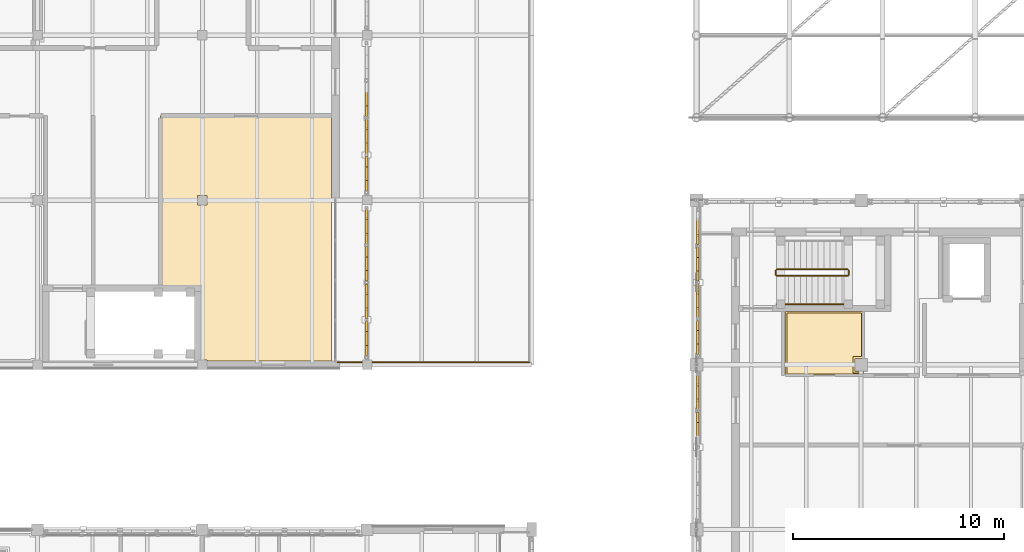
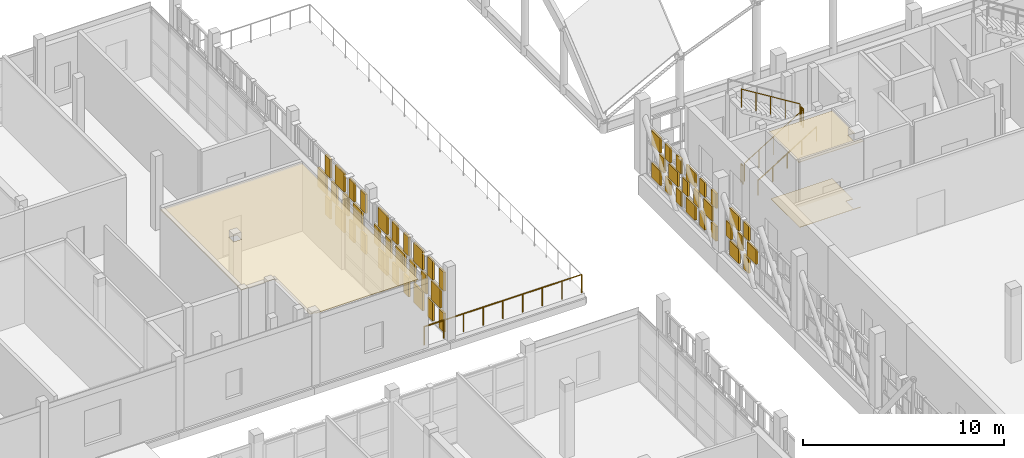
# One storey, part 107 of 119: 57 coverings, 6 railings.
"""IFC4 building model written with IfcOpenShell, lengths in metres."""

import ifcopenshell
import ifcopenshell.guid

model = None  # the IFC model being written
_history = None  # IfcOwnerHistory: only IFC2X3 demands one
_inside = {}  # id of a spatial element -> (the spatial element, [elements in it])
_under = {}  # id of a project, library or spatial element -> (it, [spatial elements below it])
_declared = {}  # id of a project -> (the project, [libraries it declares])
_typed = {}  # id of a type object -> (the type object, [elements of that type])
_made_of = {}  # id of a material, layer set ... -> (it, [elements and type objects made of it])


def new_model(schema):
    """Start an empty IFC model of exactly this schema.

    Asked for "IFC4X3", IfcOpenShell would pick the latest addendum, in which some entities
    have other attributes; the version numbers below select the first issue.
    IFC2X3 requires an IfcOwnerHistory on every rooted entity: one is made here for all.
    """
    global model, _history
    if schema == "IFC4X3":
        model = ifcopenshell.file(schema_version=(4, 3, 0, 0))
    else:
        model = ifcopenshell.file(schema=schema)
    _inside.clear()
    _under.clear()
    _declared.clear()
    _typed.clear()
    _made_of.clear()
    _history = None
    if model.schema == "IFC2X3":
        org = make("IfcOrganization", Name="unknown")
        user = make(
            "IfcPersonAndOrganization",
            ThePerson=make("IfcPerson", FamilyName="unknown"),
            TheOrganization=org,
        )
        app = make(
            "IfcApplication",
            ApplicationDeveloper=org,
            Version="unknown",
            ApplicationFullName="unknown",
            ApplicationIdentifier="unknown",
        )
        _history = make(
            "IfcOwnerHistory",
            OwningUser=user,
            OwningApplication=app,
            ChangeAction="ADDED",
            CreationDate=0,
        )
    return model


def make(cls, **values):
    """One entity of the class cls with the attributes given. An attribute that is None is left unset."""
    return model.create_entity(
        cls, **{name: value for name, value in values.items() if value is not None}
    )


def rooted(cls, **values):
    """An entity with a GlobalId (a new one), such as an element, a storey or a relation."""
    return make(cls, GlobalId=ifcopenshell.guid.new(), OwnerHistory=_history, **values)


def si_unit(unit_type, name, prefix=None):
    """IfcSIUnit, for example si_unit("LENGTHUNIT", "METRE", prefix="MILLI")."""
    return make("IfcSIUnit", UnitType=unit_type, Prefix=prefix, Name=name)


def assignment(units):
    """IfcUnitAssignment: the units of a project."""
    return None if units is None else make("IfcUnitAssignment", Units=units)


def point(xyz):
    """IfcCartesianPoint."""
    return None if xyz is None else make("IfcCartesianPoint", Coordinates=xyz)


def direction(xyz):
    """IfcDirection."""
    return None if xyz is None else make("IfcDirection", DirectionRatios=xyz)


def frame(location, z_axis=None, x_axis=None):
    """IfcAxis2Placement3D, a coordinate frame: its origin and axes. An axis left out is left unset."""
    return make(
        "IfcAxis2Placement3D",
        Location=point(location),
        Axis=direction(z_axis),
        RefDirection=direction(x_axis),
    )


def frame_2d(location, x_axis=None):
    """IfcAxis2Placement2D, a coordinate frame in the plane: its origin and x axis."""
    return make(
        "IfcAxis2Placement2D", Location=point(location), RefDirection=direction(x_axis)
    )


def origin():
    """The frame at (0, 0, 0) with its axes left unset."""
    return frame((0.0, 0.0, 0.0))


def origin_2d():
    """The frame at (0, 0) in the plane with its x axis left unset."""
    return frame_2d((0.0, 0.0))


def place(relative_to, where):
    """IfcLocalPlacement: puts the frame where relative to a parent placement (None: the world)."""
    return make(
        "IfcLocalPlacement", PlacementRelTo=relative_to, RelativePlacement=where
    )


def context(
    kind, dimensions, precision=None, world=None, true_north=None, identifier=None
):
    """IfcGeometricRepresentationContext, for example the 3D "Model" context."""
    return make(
        "IfcGeometricRepresentationContext",
        ContextIdentifier=identifier,
        ContextType=kind,
        CoordinateSpaceDimension=dimensions,
        Precision=precision,
        WorldCoordinateSystem=world,
        TrueNorth=true_north,
    )


def subcontext(parent, identifier, kind, view, scale=None):
    """IfcGeometricRepresentationSubContext, for example "Body" below "Model"."""
    return make(
        "IfcGeometricRepresentationSubContext",
        ContextIdentifier=identifier,
        ContextType=kind,
        ParentContext=parent,
        TargetScale=scale,
        TargetView=view,
    )


def project(units=None, contexts=None):
    """IfcProject with its units and contexts."""
    return rooted(
        "IfcProject",
        Name="project",
        RepresentationContexts=contexts,
        UnitsInContext=assignment(units),
    )


def spatial(cls, under=None, at=None, **own):
    """A site, building, storey or space (cls), placed at a placement, below another one or the project."""
    s = rooted(cls, ObjectPlacement=at, **own)
    if under is not None:
        _under.setdefault(under.id(), (under, []))[1].append(s)
    return s


def polyline(points):
    """IfcPolyline through the points."""
    return make("IfcPolyline", Points=[point(p) for p in points])


def profile(cls, at=None, kind="AREA", **sizes):
    """A parametric profile (cls). Its sizes go by their IFC names, for example OverallWidth=200.0."""
    return make(cls, ProfileType=kind, Position=at, **sizes)


def rectangle(**sizes):
    """IfcRectangleProfileDef."""
    return profile("IfcRectangleProfileDef", **sizes)


def circle(**sizes):
    """IfcCircleProfileDef."""
    return profile("IfcCircleProfileDef", **sizes)


def outline(outer, holes=None, kind="AREA"):
    """IfcArbitraryClosedProfileDef: a profile drawn as a closed curve; with holes, ...WithVoids."""
    if holes is None:
        return make("IfcArbitraryClosedProfileDef", ProfileType=kind, OuterCurve=outer)
    return make(
        "IfcArbitraryProfileDefWithVoids",
        ProfileType=kind,
        OuterCurve=outer,
        InnerCurves=holes,
    )


def extrude(swept, where, along, depth):
    """IfcExtrudedAreaSolid: the profile swept, set in the frame where, extruded along a direction by depth."""
    return make(
        "IfcExtrudedAreaSolid",
        SweptArea=swept,
        Position=where,
        ExtrudedDirection=direction(along),
        Depth=depth,
    )


def shape(context_of_items, identifier, shape_type, items):
    """IfcShapeRepresentation: the items that make up one representation, for example the "Body"."""
    return make(
        "IfcShapeRepresentation",
        ContextOfItems=context_of_items,
        RepresentationIdentifier=identifier,
        RepresentationType=shape_type,
        Items=items,
    )


def material(Name=None, Category=None):
    """IfcMaterial."""
    return make("IfcMaterial", Name=Name, Category=Category)


def layer(
    of_material, thickness, ventilated=None, Name=None, Category=None, Priority=None
):
    """IfcMaterialLayer: one layer of a wall or slab, of a material (None: an air gap)."""
    return make(
        "IfcMaterialLayer",
        Material=of_material,
        LayerThickness=thickness,
        IsVentilated=ventilated,
        Name=Name,
        Category=Category,
        Priority=Priority,
    )


def layer_set(layers, Name=None):
    """IfcMaterialLayerSet."""
    return make("IfcMaterialLayerSet", MaterialLayers=layers, LayerSetName=Name)


def made_of(thing, what):
    """Note that an element or type object is made of a material, layer set ...; save() writes the relation."""
    if what is not None:
        _made_of.setdefault(what.id(), (what, []))[1].append(thing)
    return thing


def type_object(cls, material=None, **own):
    """A type object (cls), such as IfcWallType, which elements share."""
    return made_of(rooted(cls, **own), material)


def element(
    cls,
    number,
    at=None,
    inside=None,
    cuts=None,
    type_object=None,
    material=None,
    context=None,
    identifier="Body",
    shape_type=None,
    held_by="IfcProductDefinitionShape",
    body=None,
    shapes=None,
    **own,
):
    """One element of the class cls, such as IfcWall. Its Tag is "e" and its number.

    at: its placement. inside: the storey or other place that contains it. cuts: it is an
    opening in that element (IfcRelVoidsElement). A single representation is given by context,
    identifier, shape_type and body (its items); several are given by shapes. held_by: the class
    of the entity that holds the representations. save() writes the other relations.
    """
    e = rooted(cls, Tag="e%d" % number, ObjectPlacement=at, **own)
    if body is not None:
        shapes = [shape(context, identifier, shape_type, body)]
    if shapes is not None:
        e.Representation = make(held_by, Representations=shapes)
    if inside is not None:
        _inside.setdefault(inside.id(), (inside, []))[1].append(e)
    if cuts is not None:
        rooted(
            "IfcRelVoidsElement", RelatingBuildingElement=cuts, RelatedOpeningElement=e
        )
    if type_object is not None:
        _typed.setdefault(type_object.id(), (type_object, []))[1].append(e)
    return made_of(e, material)


def aggregate(whole, parts):
    """IfcRelAggregates: a whole, such as a stair, and the parts it consists of."""
    return rooted("IfcRelAggregates", RelatingObject=whole, RelatedObjects=parts)


def save(model, path):
    """Write the relations noted so far, then the file.

    IfcRelAggregates (storeys below a building ...), IfcRelContainedInSpatialStructure (elements
    in a storey), IfcRelDefinesByType, IfcRelAssociatesMaterial and IfcRelDeclares: one each for
    every whole, place, type object, material and project.
    """
    for whole, parts in _under.values():
        aggregate(whole, parts)
    for where, things in _inside.values():
        rooted(
            "IfcRelContainedInSpatialStructure",
            RelatedElements=things,
            RelatingStructure=where,
        )
    for kind, things in _typed.values():
        rooted("IfcRelDefinesByType", RelatedObjects=things, RelatingType=kind)
    for what, things in _made_of.values():
        rooted("IfcRelAssociatesMaterial", RelatedObjects=things, RelatingMaterial=what)
    for by, libraries in _declared.values():
        rooted("IfcRelDeclares", RelatingContext=by, RelatedDefinitions=libraries)
    model.write(path)


model = new_model("IFC4")

# Units and contexts
model_context = context("Model", 3, precision=1e-05, world=origin(), true_north=direction((0.0, 1.0)))
body_context = subcontext(model_context, "Body", "Model", "MODEL_VIEW")
ifc_project = project(units=[si_unit("LENGTHUNIT", "METRE"), si_unit("AREAUNIT", "SQUARE_METRE"), si_unit("VOLUMEUNIT", "CUBIC_METRE"), si_unit("PLANEANGLEUNIT", "RADIAN"), si_unit("MASSUNIT", "GRAM", prefix="KILO")], contexts=[model_context])

# Site, building, storey
site_placement = place(None, origin())
site = spatial("IfcSite", under=ifc_project, at=site_placement, CompositionType="ELEMENT")
building_placement = place(site_placement, origin())
building = spatial("IfcBuilding", under=site, at=building_placement, Name="Celorna Specialist Clinic", CompositionType="ELEMENT")
storey_placement = place(building_placement, frame((0.0, 0.0, 9.60009765625)))
storey = spatial("IfcBuildingStorey", under=building, at=storey_placement, Name="L02", CompositionType="ELEMENT", Elevation=9.60009765625)

# Railing
ifc_material_1 = material(Name="Stainless steel and laminated glass balustrade", Category="steel")
railing_type_1 = type_object("IfcRailingType", Name="BL-01", PredefinedType="BALUSTRADE", material=ifc_material_1)
railing_1_placement = place(storey_placement, frame((46.679931640625, 35.219970703125, 0.0)))
element("IfcRailing", 1, at=railing_1_placement, inside=storey, type_object=railing_type_1, Name="Nuclear Medicine Cloister Terrace perimeter balustrade 4", PredefinedType="BALUSTRADE", context=body_context, shape_type="SweptSolid", body=[
    extrude(circle(Radius=0.02392578125, at=origin_2d()), frame((0.0, 0.0, 1.09619140625), z_axis=(-1.0, 0.0, 0.0), x_axis=(0.0, -1.0, 0.0)), (0.0, 0.0, 1.0), 9.059814453125),
    extrude(circle(Radius=0.02099609375, at=origin_2d()), origin(), (0.0, 0.0, 1.0), 1.072021484375),
    extrude(circle(Radius=0.02099609375, at=origin_2d()), frame((-1.132568359375, 0.0, 0.0)), (0.0, 0.0, 1.0), 1.072021484375),
    extrude(circle(Radius=0.02099609375, at=origin_2d()), frame((-2.264892578125, 0.0, 0.0)), (0.0, 0.0, 1.0), 1.072021484375),
    extrude(circle(Radius=0.02099609375, at=origin_2d()), frame((-3.3974609375, 0.0, 0.0)), (0.0, 0.0, 1.0), 1.072021484375),
    extrude(circle(Radius=0.02099609375, at=origin_2d()), frame((-4.52978515625, 0.0, 0.0)), (0.0, 0.0, 1.0), 1.072021484375),
    extrude(circle(Radius=0.02099609375, at=origin_2d()), frame((-5.662353515625, 0.0, 0.0)), (0.0, 0.0, 1.0), 1.072021484375),
    extrude(circle(Radius=0.02099609375, at=origin_2d()), frame((-6.794921875, 0.0, 0.0)), (0.0, 0.0, 1.0), 1.072021484375),
    extrude(circle(Radius=0.02099609375, at=origin_2d()), frame((-7.92724609375, 0.0, 0.0)), (0.0, 0.0, 1.0), 1.072021484375),
    extrude(circle(Radius=0.02099609375, at=origin_2d()), frame((-9.059814453125, 0.0, 0.0)), (0.0, 0.0, 1.0), 1.072021484375),
])

# Coverings
ifc_material_2 = material(Name="Hygienic acoustic mineral-fibre ceiling")
ifc_layer_1 = layer(ifc_material_2, 0.030029296875, Name="Hygienic acoustic mineral-fibre ceiling")
ifc_layer_set_1 = layer_set([ifc_layer_1], Name="Hygienic acoustic mineral-fibre ceiling")
covering_type_1 = type_object("IfcCoveringType", Name="CE-01", PredefinedType="CEILING", material=ifc_layer_set_1)
covering_1_placement = place(storey_placement, frame((0.0, 0.0, 4.02978515625)))
element("IfcCovering", 2, at=covering_1_placement, inside=storey, type_object=covering_type_1, Name="Acoustic ceiling L02-015", PredefinedType="CEILING", context=body_context, shape_type="SweptSolid", body=[
    extrude(outline(polyline([(31.125, 38.864990234375), (29.22509765625, 38.864990234375), (29.22509765625, 46.9150390625), (37.324951171875, 46.9150390625), (37.324951171875, 35.27490234375), (31.429931640625, 35.27490234375), (31.429931640625, 35.330078125), (31.125, 35.330078125), (31.125, 38.864990234375)]), holes=[polyline([(31.429931640625, 43.1298828125), (30.969970703125, 43.1298828125), (30.969970703125, 42.669921875), (31.429931640625, 42.669921875), (31.429931640625, 43.1298828125)])]), origin(), (0.0, 0.0, 1.0), 0.030029296875),
])
covering_2_placement = place(storey_placement, frame((0.0, 0.0, 4.02978515625)))
element("IfcCovering", 3, at=covering_2_placement, inside=storey, type_object=covering_type_1, Name="Acoustic ceiling L02-068", PredefinedType="CEILING", context=body_context, shape_type="SweptSolid", body=[
    extrude(outline(polyline([(58.804931640625, 37.635009765625), (62.5048828125, 37.635009765625), (62.5048828125, 35.405029296875), (62.094970703125, 35.405029296875), (62.094970703125, 34.794921875), (62.5048828125, 34.794921875), (62.5048828125, 34.5849609375), (58.804931640625, 34.5849609375), (58.804931640625, 37.635009765625)])), origin(), (0.0, 0.0, 1.0), 0.030029296875),
])
ifc_material_3 = material(Name="Perforated terracotta brick weave cladding", Category="masonry")
ifc_layer_2 = layer(ifc_material_3, 0.114990234375, Name="Perforated terracotta brick weave cladding")
ifc_layer_set_2 = layer_set([ifc_layer_2], Name="Perforated terracotta brick weave cladding")
covering_type_2 = type_object("IfcCoveringType", Name="CL-02", PredefinedType="CLADDING", material=ifc_layer_set_2)
covering_3_placement = place(storey_placement, frame((54.669921875, 32.62451171875, 0.099609375), z_axis=(0.0, 0.0, 1.0), x_axis=(0.0, 1.0, 0.0)))
element("IfcCovering", 4, at=covering_3_placement, inside=storey, type_object=covering_type_2, Name="Woven perforated terracotta brick course #201", PredefinedType="CLADDING", context=body_context, shape_type="SweptSolid", body=[
    extrude(rectangle(XDim=0.4912109375, YDim=0.114990234375, at=origin_2d()), origin(), (0.0, 0.0, 1.0), 0.893310546875),
])
covering_4_placement = place(storey_placement, frame((54.669921875, 32.06494140625, 1.09326171875), z_axis=(0.0, 0.0, 1.0), x_axis=(0.0, 1.0, 0.0)))
element("IfcCovering", 5, at=covering_4_placement, inside=storey, type_object=covering_type_2, Name="Woven perforated terracotta brick course #202", PredefinedType="CLADDING", context=body_context, shape_type="SweptSolid", body=[
    extrude(rectangle(XDim=0.869384765625, YDim=0.114990234375, at=origin_2d()), origin(), (0.0, 0.0, 1.0), 0.893310546875),
])
covering_5_placement = place(storey_placement, frame((54.669921875, 32.62451171875, 2.08642578125), z_axis=(0.0, 0.0, 1.0), x_axis=(0.0, 1.0, 0.0)))
element("IfcCovering", 6, at=covering_5_placement, inside=storey, type_object=covering_type_2, Name="Woven perforated terracotta brick course #204", PredefinedType="CLADDING", context=body_context, shape_type="SweptSolid", body=[
    extrude(rectangle(XDim=0.4912109375, YDim=0.114990234375, at=origin_2d()), origin(), (0.0, 0.0, 1.0), 0.893310546875),
])
covering_6_placement = place(storey_placement, frame((54.669921875, 33.794921875, 0.099609375), z_axis=(0.0, 0.0, 1.0), x_axis=(0.0, 1.0, 0.0)))
element("IfcCovering", 7, at=covering_6_placement, inside=storey, type_object=covering_type_2, Name="Woven perforated terracotta brick course #205", PredefinedType="CLADDING", context=body_context, shape_type="SweptSolid", body=[
    extrude(rectangle(XDim=0.869384765625, YDim=0.114990234375, at=origin_2d()), origin(), (0.0, 0.0, 1.0), 0.893310546875),
])
for number, where, z_axis, x_axis, name in (
    (8, (54.669921875, 33.235595703125, 1.09326171875), (0.0, 0.0, 1.0), (0.0, 1.0, 0.0), "Woven perforated terracotta brick course #206"),
    (9, (54.669921875, 34.3544921875, 1.09326171875), (0.0, 0.0, 1.0), (0.0, 1.0, 0.0), "Woven perforated terracotta brick course #207"),
):
    element("IfcCovering", number, at=place(storey_placement, frame(where, z_axis=z_axis, x_axis=x_axis)), inside=storey, type_object=covering_type_2, Name=name, PredefinedType="CLADDING", context=body_context, shape_type="SweptSolid", body=[
        extrude(rectangle(XDim=0.4912109375, YDim=0.114990234375, at=origin_2d()), origin(), (0.0, 0.0, 1.0), 0.893310546875),
    ])
covering_7_placement = place(storey_placement, frame((54.669921875, 33.794921875, 2.08642578125), z_axis=(0.0, 0.0, 1.0), x_axis=(0.0, 1.0, 0.0)))
element("IfcCovering", 10, at=covering_7_placement, inside=storey, type_object=covering_type_2, Name="Woven perforated terracotta brick course #208", PredefinedType="CLADDING", context=body_context, shape_type="SweptSolid", body=[
    extrude(rectangle(XDim=0.869384765625, YDim=0.114990234375, at=origin_2d()), origin(), (0.0, 0.0, 1.0), 0.893310546875),
])
for number, where, z_axis, x_axis, name in (
    (11, (54.669921875, 35.845458984375, 0.099609375), (0.0, 0.0, 1.0), (0.0, 1.0, 0.0), "Woven perforated terracotta brick course #209"),
    (12, (54.669921875, 36.96435546875, 0.099609375), (0.0, 0.0, 1.0), (0.0, 1.0, 0.0), "Woven perforated terracotta brick course #210"),
):
    element("IfcCovering", number, at=place(storey_placement, frame(where, z_axis=z_axis, x_axis=x_axis)), inside=storey, type_object=covering_type_2, Name=name, PredefinedType="CLADDING", context=body_context, shape_type="SweptSolid", body=[
        extrude(rectangle(XDim=0.4912109375, YDim=0.114990234375, at=origin_2d()), origin(), (0.0, 0.0, 1.0), 0.893310546875),
    ])
covering_8_placement = place(storey_placement, frame((54.669921875, 36.405029296875, 1.09326171875), z_axis=(0.0, 0.0, 1.0), x_axis=(0.0, 1.0, 0.0)))
element("IfcCovering", 13, at=covering_8_placement, inside=storey, type_object=covering_type_2, Name="Woven perforated terracotta brick course #211", PredefinedType="CLADDING", context=body_context, shape_type="SweptSolid", body=[
    extrude(rectangle(XDim=0.869384765625, YDim=0.114990234375, at=origin_2d()), origin(), (0.0, 0.0, 1.0), 0.893310546875),
])
for number, where, z_axis, x_axis, name in (
    (14, (54.669921875, 35.845458984375, 2.08642578125), (0.0, 0.0, 1.0), (0.0, 1.0, 0.0), "Woven perforated terracotta brick course #212"),
    (15, (54.669921875, 36.96435546875, 2.08642578125), (0.0, 0.0, 1.0), (0.0, 1.0, 0.0), "Woven perforated terracotta brick course #213"),
):
    element("IfcCovering", number, at=place(storey_placement, frame(where, z_axis=z_axis, x_axis=x_axis)), inside=storey, type_object=covering_type_2, Name=name, PredefinedType="CLADDING", context=body_context, shape_type="SweptSolid", body=[
        extrude(rectangle(XDim=0.4912109375, YDim=0.114990234375, at=origin_2d()), origin(), (0.0, 0.0, 1.0), 0.893310546875),
    ])
covering_9_placement = place(storey_placement, frame((54.669921875, 38.135009765625, 0.099609375), z_axis=(0.0, 0.0, 1.0), x_axis=(0.0, 1.0, 0.0)))
element("IfcCovering", 16, at=covering_9_placement, inside=storey, type_object=covering_type_2, Name="Woven perforated terracotta brick course #214", PredefinedType="CLADDING", context=body_context, shape_type="SweptSolid", body=[
    extrude(rectangle(XDim=0.869384765625, YDim=0.114990234375, at=origin_2d()), origin(), (0.0, 0.0, 1.0), 0.893310546875),
])
for number, where, z_axis, x_axis, name in (
    (17, (54.669921875, 37.575439453125, 1.09326171875), (0.0, 0.0, 1.0), (0.0, 1.0, 0.0), "Woven perforated terracotta brick course #215"),
    (18, (54.669921875, 38.694580078125, 1.09326171875), (0.0, 0.0, 1.0), (0.0, 1.0, 0.0), "Woven perforated terracotta brick course #216"),
):
    element("IfcCovering", number, at=place(storey_placement, frame(where, z_axis=z_axis, x_axis=x_axis)), inside=storey, type_object=covering_type_2, Name=name, PredefinedType="CLADDING", context=body_context, shape_type="SweptSolid", body=[
        extrude(rectangle(XDim=0.4912109375, YDim=0.114990234375, at=origin_2d()), origin(), (0.0, 0.0, 1.0), 0.893310546875),
    ])
covering_10_placement = place(storey_placement, frame((54.669921875, 38.135009765625, 2.08642578125), z_axis=(0.0, 0.0, 1.0), x_axis=(0.0, 1.0, 0.0)))
element("IfcCovering", 19, at=covering_10_placement, inside=storey, type_object=covering_type_2, Name="Woven perforated terracotta brick course #217", PredefinedType="CLADDING", context=body_context, shape_type="SweptSolid", body=[
    extrude(rectangle(XDim=0.869384765625, YDim=0.114990234375, at=origin_2d()), origin(), (0.0, 0.0, 1.0), 0.893310546875),
])
for number, where, z_axis, x_axis, name in (
    (20, (54.669921875, 39.305419921875, 0.099609375), (0.0, 0.0, 1.0), (0.0, 1.0, 0.0), "Woven perforated terracotta brick course #218"),
    (21, (54.669921875, 40.424560546875, 0.099609375), (0.0, 0.0, 1.0), (0.0, 1.0, 0.0), "Woven perforated terracotta brick course #219"),
):
    element("IfcCovering", number, at=place(storey_placement, frame(where, z_axis=z_axis, x_axis=x_axis)), inside=storey, type_object=covering_type_2, Name=name, PredefinedType="CLADDING", context=body_context, shape_type="SweptSolid", body=[
        extrude(rectangle(XDim=0.4912109375, YDim=0.114990234375, at=origin_2d()), origin(), (0.0, 0.0, 1.0), 0.893310546875),
    ])
covering_11_placement = place(storey_placement, frame((54.669921875, 39.864990234375, 1.09326171875), z_axis=(0.0, 0.0, 1.0), x_axis=(0.0, 1.0, 0.0)))
element("IfcCovering", 22, at=covering_11_placement, inside=storey, type_object=covering_type_2, Name="Woven perforated terracotta brick course #220", PredefinedType="CLADDING", context=body_context, shape_type="SweptSolid", body=[
    extrude(rectangle(XDim=0.869384765625, YDim=0.114990234375, at=origin_2d()), origin(), (0.0, 0.0, 1.0), 0.893310546875),
])
for number, where, z_axis, x_axis, name in (
    (23, (54.669921875, 39.305419921875, 2.08642578125), (0.0, 0.0, 1.0), (0.0, 1.0, 0.0), "Woven perforated terracotta brick course #221"),
    (24, (54.669921875, 40.424560546875, 2.08642578125), (0.0, 0.0, 1.0), (0.0, 1.0, 0.0), "Woven perforated terracotta brick course #222"),
):
    element("IfcCovering", number, at=place(storey_placement, frame(where, z_axis=z_axis, x_axis=x_axis)), inside=storey, type_object=covering_type_2, Name=name, PredefinedType="CLADDING", context=body_context, shape_type="SweptSolid", body=[
        extrude(rectangle(XDim=0.4912109375, YDim=0.114990234375, at=origin_2d()), origin(), (0.0, 0.0, 1.0), 0.893310546875),
    ])
covering_12_placement = place(storey_placement, frame((54.669921875, 41.594970703125, 0.099609375), z_axis=(0.0, 0.0, 1.0), x_axis=(0.0, 1.0, 0.0)))
element("IfcCovering", 25, at=covering_12_placement, inside=storey, type_object=covering_type_2, Name="Woven perforated terracotta brick course #223", PredefinedType="CLADDING", context=body_context, shape_type="SweptSolid", body=[
    extrude(rectangle(XDim=0.869384765625, YDim=0.114990234375, at=origin_2d()), origin(), (0.0, 0.0, 1.0), 0.893310546875),
])
covering_13_placement = place(storey_placement, frame((54.669921875, 41.03564453125, 1.09326171875), z_axis=(0.0, 0.0, 1.0), x_axis=(0.0, 1.0, 0.0)))
element("IfcCovering", 26, at=covering_13_placement, inside=storey, type_object=covering_type_2, Name="Woven perforated terracotta brick course #224", PredefinedType="CLADDING", context=body_context, shape_type="SweptSolid", body=[
    extrude(rectangle(XDim=0.4912109375, YDim=0.114990234375, at=origin_2d()), origin(), (0.0, 0.0, 1.0), 0.893310546875),
])
covering_14_placement = place(storey_placement, frame((54.669921875, 41.594970703125, 2.08642578125), z_axis=(0.0, 0.0, 1.0), x_axis=(0.0, 1.0, 0.0)))
element("IfcCovering", 27, at=covering_14_placement, inside=storey, type_object=covering_type_2, Name="Woven perforated terracotta brick course #226", PredefinedType="CLADDING", context=body_context, shape_type="SweptSolid", body=[
    extrude(rectangle(XDim=0.869384765625, YDim=0.114990234375, at=origin_2d()), origin(), (0.0, 0.0, 1.0), 0.893310546875),
])
for number, where, z_axis, x_axis, name in (
    (28, (38.989990234375, 35.7763671875, 0.10009765625), (0.0, 0.0, 1.0), (0.0, 1.0, 0.0), "Woven perforated terracotta brick course #1319"),
    (29, (38.989990234375, 36.92138671875, 0.10009765625), (0.0, 0.0, 1.0), (0.0, 1.0, 0.0), "Woven perforated terracotta brick course #1320"),
):
    element("IfcCovering", number, at=place(storey_placement, frame(where, z_axis=z_axis, x_axis=x_axis)), inside=storey, type_object=covering_type_2, Name=name, PredefinedType="CLADDING", context=body_context, shape_type="SweptSolid", body=[
        extrude(rectangle(XDim=0.50244140625, YDim=0.114990234375, at=origin_2d()), origin(), (0.0, 0.0, 1.0), 1.146728515625),
    ])
covering_15_placement = place(storey_placement, frame((38.989990234375, 36.348876953125, 1.3466796875), z_axis=(0.0, 0.0, 1.0), x_axis=(0.0, 1.0, 0.0)))
element("IfcCovering", 30, at=covering_15_placement, inside=storey, type_object=covering_type_2, Name="Woven perforated terracotta brick course #1321", PredefinedType="CLADDING", context=body_context, shape_type="SweptSolid", body=[
    extrude(rectangle(XDim=0.8896484375, YDim=0.114990234375, at=origin_2d()), origin(), (0.0, 0.0, 1.0), 1.146484375),
])
for number, where, z_axis, x_axis, name in (
    (31, (38.989990234375, 35.7763671875, 2.59326171875), (0.0, 0.0, 1.0), (0.0, 1.0, 0.0), "Woven perforated terracotta brick course #1322"),
    (32, (38.989990234375, 36.92138671875, 2.59326171875), (0.0, 0.0, 1.0), (0.0, 1.0, 0.0), "Woven perforated terracotta brick course #1323"),
):
    element("IfcCovering", number, at=place(storey_placement, frame(where, z_axis=z_axis, x_axis=x_axis)), inside=storey, type_object=covering_type_2, Name=name, PredefinedType="CLADDING", context=body_context, shape_type="SweptSolid", body=[
        extrude(rectangle(XDim=0.50244140625, YDim=0.114990234375, at=origin_2d()), origin(), (0.0, 0.0, 1.0), 1.146728515625),
    ])
covering_16_placement = place(storey_placement, frame((38.989990234375, 38.1162109375, 0.10009765625), z_axis=(0.0, 0.0, 1.0), x_axis=(0.0, 1.0, 0.0)))
element("IfcCovering", 33, at=covering_16_placement, inside=storey, type_object=covering_type_2, Name="Woven perforated terracotta brick course #1324", PredefinedType="CLADDING", context=body_context, shape_type="SweptSolid", body=[
    extrude(rectangle(XDim=0.8896484375, YDim=0.114990234375, at=origin_2d()), origin(), (0.0, 0.0, 1.0), 1.146728515625),
])
for number, where, z_axis, x_axis, name in (
    (34, (38.989990234375, 37.543701171875, 1.3466796875), (0.0, 0.0, 1.0), (0.0, 1.0, 0.0), "Woven perforated terracotta brick course #1325"),
    (35, (38.989990234375, 38.688720703125, 1.3466796875), (0.0, 0.0, 1.0), (0.0, 1.0, 0.0), "Woven perforated terracotta brick course #1326"),
):
    element("IfcCovering", number, at=place(storey_placement, frame(where, z_axis=z_axis, x_axis=x_axis)), inside=storey, type_object=covering_type_2, Name=name, PredefinedType="CLADDING", context=body_context, shape_type="SweptSolid", body=[
        extrude(rectangle(XDim=0.50244140625, YDim=0.114990234375, at=origin_2d()), origin(), (0.0, 0.0, 1.0), 1.146484375),
    ])
covering_17_placement = place(storey_placement, frame((38.989990234375, 38.1162109375, 2.59326171875), z_axis=(0.0, 0.0, 1.0), x_axis=(0.0, 1.0, 0.0)))
element("IfcCovering", 36, at=covering_17_placement, inside=storey, type_object=covering_type_2, Name="Woven perforated terracotta brick course #1327", PredefinedType="CLADDING", context=body_context, shape_type="SweptSolid", body=[
    extrude(rectangle(XDim=0.8896484375, YDim=0.114990234375, at=origin_2d()), origin(), (0.0, 0.0, 1.0), 1.146728515625),
])
for number, where, z_axis, x_axis, name in (
    (37, (38.989990234375, 39.311279296875, 0.10009765625), (0.0, 0.0, 1.0), (0.0, 1.0, 0.0), "Woven perforated terracotta brick course #1328"),
    (38, (38.989990234375, 40.456298828125, 0.10009765625), (0.0, 0.0, 1.0), (0.0, 1.0, 0.0), "Woven perforated terracotta brick course #1329"),
):
    element("IfcCovering", number, at=place(storey_placement, frame(where, z_axis=z_axis, x_axis=x_axis)), inside=storey, type_object=covering_type_2, Name=name, PredefinedType="CLADDING", context=body_context, shape_type="SweptSolid", body=[
        extrude(rectangle(XDim=0.50244140625, YDim=0.114990234375, at=origin_2d()), origin(), (0.0, 0.0, 1.0), 1.146728515625),
    ])
covering_18_placement = place(storey_placement, frame((38.989990234375, 39.8837890625, 1.3466796875), z_axis=(0.0, 0.0, 1.0), x_axis=(0.0, 1.0, 0.0)))
element("IfcCovering", 39, at=covering_18_placement, inside=storey, type_object=covering_type_2, Name="Woven perforated terracotta brick course #1330", PredefinedType="CLADDING", context=body_context, shape_type="SweptSolid", body=[
    extrude(rectangle(XDim=0.8896484375, YDim=0.114990234375, at=origin_2d()), origin(), (0.0, 0.0, 1.0), 1.146484375),
])
for number, where, z_axis, x_axis, name in (
    (40, (38.989990234375, 39.311279296875, 2.59326171875), (0.0, 0.0, 1.0), (0.0, 1.0, 0.0), "Woven perforated terracotta brick course #1331"),
    (41, (38.989990234375, 40.456298828125, 2.59326171875), (0.0, 0.0, 1.0), (0.0, 1.0, 0.0), "Woven perforated terracotta brick course #1332"),
):
    element("IfcCovering", number, at=place(storey_placement, frame(where, z_axis=z_axis, x_axis=x_axis)), inside=storey, type_object=covering_type_2, Name=name, PredefinedType="CLADDING", context=body_context, shape_type="SweptSolid", body=[
        extrude(rectangle(XDim=0.50244140625, YDim=0.114990234375, at=origin_2d()), origin(), (0.0, 0.0, 1.0), 1.146728515625),
    ])
covering_19_placement = place(storey_placement, frame((38.989990234375, 41.651123046875, 0.10009765625), z_axis=(0.0, 0.0, 1.0), x_axis=(0.0, 1.0, 0.0)))
element("IfcCovering", 42, at=covering_19_placement, inside=storey, type_object=covering_type_2, Name="Woven perforated terracotta brick course #1333", PredefinedType="CLADDING", context=body_context, shape_type="SweptSolid", body=[
    extrude(rectangle(XDim=0.8896484375, YDim=0.114990234375, at=origin_2d()), origin(), (0.0, 0.0, 1.0), 1.146728515625),
])
for number, where, z_axis, x_axis, name in (
    (43, (38.989990234375, 41.07861328125, 1.3466796875), (0.0, 0.0, 1.0), (0.0, 1.0, 0.0), "Woven perforated terracotta brick course #1334"),
    (44, (38.989990234375, 42.2236328125, 1.3466796875), (0.0, 0.0, 1.0), (0.0, 1.0, 0.0), "Woven perforated terracotta brick course #1335"),
):
    element("IfcCovering", number, at=place(storey_placement, frame(where, z_axis=z_axis, x_axis=x_axis)), inside=storey, type_object=covering_type_2, Name=name, PredefinedType="CLADDING", context=body_context, shape_type="SweptSolid", body=[
        extrude(rectangle(XDim=0.50244140625, YDim=0.114990234375, at=origin_2d()), origin(), (0.0, 0.0, 1.0), 1.146484375),
    ])
covering_20_placement = place(storey_placement, frame((38.989990234375, 41.651123046875, 2.59326171875), z_axis=(0.0, 0.0, 1.0), x_axis=(0.0, 1.0, 0.0)))
element("IfcCovering", 45, at=covering_20_placement, inside=storey, type_object=covering_type_2, Name="Woven perforated terracotta brick course #1336", PredefinedType="CLADDING", context=body_context, shape_type="SweptSolid", body=[
    extrude(rectangle(XDim=0.8896484375, YDim=0.114990234375, at=origin_2d()), origin(), (0.0, 0.0, 1.0), 1.146728515625),
])
for number, where, z_axis, x_axis, name in (
    (46, (38.989990234375, 43.576416015625, 0.10009765625), (0.0, 0.0, 1.0), (0.0, 1.0, 0.0), "Woven perforated terracotta brick course #1337"),
    (47, (38.989990234375, 44.72119140625, 0.10009765625), (0.0, 0.0, 1.0), (0.0, 1.0, 0.0), "Woven perforated terracotta brick course #1338"),
):
    element("IfcCovering", number, at=place(storey_placement, frame(where, z_axis=z_axis, x_axis=x_axis)), inside=storey, type_object=covering_type_2, Name=name, PredefinedType="CLADDING", context=body_context, shape_type="SweptSolid", body=[
        extrude(rectangle(XDim=0.50244140625, YDim=0.114990234375, at=origin_2d()), origin(), (0.0, 0.0, 1.0), 1.146728515625),
    ])
covering_21_placement = place(storey_placement, frame((38.989990234375, 44.148681640625, 1.3466796875), z_axis=(0.0, 0.0, 1.0), x_axis=(0.0, 1.0, 0.0)))
element("IfcCovering", 48, at=covering_21_placement, inside=storey, type_object=covering_type_2, Name="Woven perforated terracotta brick course #1339", PredefinedType="CLADDING", context=body_context, shape_type="SweptSolid", body=[
    extrude(rectangle(XDim=0.8896484375, YDim=0.114990234375, at=origin_2d()), origin(), (0.0, 0.0, 1.0), 1.146484375),
])
for number, where, z_axis, x_axis, name in (
    (49, (38.989990234375, 43.576416015625, 2.59326171875), (0.0, 0.0, 1.0), (0.0, 1.0, 0.0), "Woven perforated terracotta brick course #1340"),
    (50, (38.989990234375, 44.72119140625, 2.59326171875), (0.0, 0.0, 1.0), (0.0, 1.0, 0.0), "Woven perforated terracotta brick course #1341"),
):
    element("IfcCovering", number, at=place(storey_placement, frame(where, z_axis=z_axis, x_axis=x_axis)), inside=storey, type_object=covering_type_2, Name=name, PredefinedType="CLADDING", context=body_context, shape_type="SweptSolid", body=[
        extrude(rectangle(XDim=0.50244140625, YDim=0.114990234375, at=origin_2d()), origin(), (0.0, 0.0, 1.0), 1.146728515625),
    ])
covering_22_placement = place(storey_placement, frame((38.989990234375, 45.916259765625, 0.10009765625), z_axis=(0.0, 0.0, 1.0), x_axis=(0.0, 1.0, 0.0)))
element("IfcCovering", 51, at=covering_22_placement, inside=storey, type_object=covering_type_2, Name="Woven perforated terracotta brick course #1342", PredefinedType="CLADDING", context=body_context, shape_type="SweptSolid", body=[
    extrude(rectangle(XDim=0.8896484375, YDim=0.114990234375, at=origin_2d()), origin(), (0.0, 0.0, 1.0), 1.146728515625),
])
for number, where, z_axis, x_axis, name in (
    (52, (38.989990234375, 45.34375, 1.3466796875), (0.0, 0.0, 1.0), (0.0, 1.0, 0.0), "Woven perforated terracotta brick course #1343"),
    (53, (38.989990234375, 46.48876953125, 1.3466796875), (0.0, 0.0, 1.0), (0.0, 1.0, 0.0), "Woven perforated terracotta brick course #1344"),
):
    element("IfcCovering", number, at=place(storey_placement, frame(where, z_axis=z_axis, x_axis=x_axis)), inside=storey, type_object=covering_type_2, Name=name, PredefinedType="CLADDING", context=body_context, shape_type="SweptSolid", body=[
        extrude(rectangle(XDim=0.50244140625, YDim=0.114990234375, at=origin_2d()), origin(), (0.0, 0.0, 1.0), 1.146484375),
    ])
covering_23_placement = place(storey_placement, frame((38.989990234375, 45.916259765625, 2.59326171875), z_axis=(0.0, 0.0, 1.0), x_axis=(0.0, 1.0, 0.0)))
element("IfcCovering", 54, at=covering_23_placement, inside=storey, type_object=covering_type_2, Name="Woven perforated terracotta brick course #1345", PredefinedType="CLADDING", context=body_context, shape_type="SweptSolid", body=[
    extrude(rectangle(XDim=0.8896484375, YDim=0.114990234375, at=origin_2d()), origin(), (0.0, 0.0, 1.0), 1.146728515625),
])
covering_24_placement = place(storey_placement, frame((38.989990234375, 47.111083984375, 0.10009765625), z_axis=(0.0, 0.0, 1.0), x_axis=(0.0, 1.0, 0.0)))
element("IfcCovering", 55, at=covering_24_placement, inside=storey, type_object=covering_type_2, Name="Woven perforated terracotta brick course #1346", PredefinedType="CLADDING", context=body_context, shape_type="SweptSolid", body=[
    extrude(rectangle(XDim=0.50244140625, YDim=0.114990234375, at=origin_2d()), origin(), (0.0, 0.0, 1.0), 1.146728515625),
])
covering_25_placement = place(storey_placement, frame((38.989990234375, 47.683837890625, 1.3466796875), z_axis=(0.0, 0.0, 1.0), x_axis=(0.0, 1.0, 0.0)))
element("IfcCovering", 56, at=covering_25_placement, inside=storey, type_object=covering_type_2, Name="Woven perforated terracotta brick course #1348", PredefinedType="CLADDING", context=body_context, shape_type="SweptSolid", body=[
    extrude(rectangle(XDim=0.8896484375, YDim=0.114990234375, at=origin_2d()), origin(), (0.0, 0.0, 1.0), 1.146484375),
])
covering_26_placement = place(storey_placement, frame((38.989990234375, 47.111083984375, 2.59326171875), z_axis=(0.0, 0.0, 1.0), x_axis=(0.0, 1.0, 0.0)))
element("IfcCovering", 57, at=covering_26_placement, inside=storey, type_object=covering_type_2, Name="Woven perforated terracotta brick course #1349", PredefinedType="CLADDING", context=body_context, shape_type="SweptSolid", body=[
    extrude(rectangle(XDim=0.50244140625, YDim=0.114990234375, at=origin_2d()), origin(), (0.0, 0.0, 1.0), 1.146728515625),
])
ifc_material_4 = material(Name="Seamless antimicrobial clinical vinyl and Lioz terrazzo flooring")
ifc_layer_3 = layer(ifc_material_4, 0.02001953125, Name="Seamless antimicrobial clinical vinyl and Lioz terrazzo flooring")
ifc_layer_set_3 = layer_set([ifc_layer_3], Name="Seamless antimicrobial clinical vinyl and Lioz terrazzo flooring")
covering_type_3 = type_object("IfcCoveringType", Name="FL-01", PredefinedType="FLOORING", material=ifc_layer_set_3)
covering_27_placement = place(storey_placement, origin())
element("IfcCovering", 58, at=covering_27_placement, inside=storey, type_object=covering_type_3, Name="Antimicrobial clinical flooring L02-068", PredefinedType="FLOORING", context=body_context, shape_type="SweptSolid", body=[
    extrude(outline(polyline([(58.89501953125, 34.675048828125), (58.89501953125, 37.544921875), (62.4150390625, 37.544921875), (62.4150390625, 35.485107421875), (62.014892578125, 35.485107421875), (62.014892578125, 34.715087890625), (62.4150390625, 34.715087890625), (62.4150390625, 34.675048828125), (58.89501953125, 34.675048828125)])), origin(), (0.0, 0.0, 1.0), 0.02001953125),
])

# Railings
ifc_material_5 = material(Name="Powder-coated steel S355", Category="steel")
railing_type_2 = type_object("IfcRailingType", Name="GR-01", PredefinedType="GUARDRAIL", material=ifc_material_5)
railing_2_placement = place(storey_placement, frame((58.39990234375, 39.320068359375, 0.173095703125)))
element("IfcRailing", 59, at=railing_2_placement, inside=storey, type_object=railing_type_2, Name="L02 ST-08 stair guard 1", PredefinedType="GUARDRAIL", context=body_context, shape_type="SweptSolid", body=[
    extrude(circle(Radius=0.02392578125, at=origin_2d()), frame((0.0, 0.0, 1.09619140625), z_axis=(0.850623216509, 0.0, 0.525775754039), x_axis=(0.0, 1.0, 0.0)), (0.0, 0.0, 1.0), 3.9501953125),
    extrude(circle(Radius=0.02099609375, at=origin_2d()), origin(), (0.0, 0.0, 1.0), 1.072021484375),
    extrude(circle(Radius=0.02099609375, at=origin_2d()), frame((0.840087890625, 0.0, 0.519287109375)), (0.0, 0.0, 1.0), 1.072021484375),
    extrude(circle(Radius=0.02099609375, at=origin_2d()), frame((1.68017578125, 0.0, 1.03857421875)), (0.0, 0.0, 1.0), 1.072021484375),
    extrude(circle(Radius=0.02099609375, at=origin_2d()), frame((2.52001953125, 0.0, 1.5576171875)), (0.0, 0.0, 1.0), 1.072021484375),
    extrude(circle(Radius=0.02099609375, at=origin_2d()), frame((3.360107421875, 0.0, 2.076904296875)), (0.0, 0.0, 1.0), 1.072021484375),
])
railing_3_placement = place(storey_placement, frame((61.81005859375, 39.3701171875, 2.25)))
element("IfcRailing", 60, at=railing_3_placement, inside=storey, type_object=railing_type_2, Name="L02 ST-08 stair guard 2", PredefinedType="GUARDRAIL", context=body_context, shape_type="SweptSolid", body=[
    extrude(circle(Radius=0.02392578125, at=origin_2d()), frame((0.0, 0.0, 1.09619140625), z_axis=(0.0, 1.0, 0.0), x_axis=(-1.0, 0.0, 0.0)), (0.0, 0.0, 1.0), 0.199951171875),
    extrude(circle(Radius=0.02099609375, at=origin_2d()), origin(), (0.0, 0.0, 1.0), 1.072021484375),
    extrude(circle(Radius=0.02099609375, at=origin_2d()), frame((0.0, 0.199951171875, 0.0)), (0.0, 0.0, 1.0), 1.072021484375),
])
railing_4_placement = place(storey_placement, frame((61.760009765625, 39.6201171875, 2.423095703125)))
element("IfcRailing", 61, at=railing_4_placement, inside=storey, type_object=railing_type_2, Name="L02 ST-08 stair guard 3", PredefinedType="GUARDRAIL", context=body_context, shape_type="SweptSolid", body=[
    extrude(circle(Radius=0.02392578125, at=origin_2d()), frame((0.0, 0.0, 1.09619140625), z_axis=(-0.850623216509, 0.0, 0.525775754039), x_axis=(0.0, -1.0, 0.0)), (0.0, 0.0, 1.0), 3.9501953125),
    extrude(circle(Radius=0.02099609375, at=origin_2d()), origin(), (0.0, 0.0, 1.0), 1.072021484375),
    extrude(circle(Radius=0.02099609375, at=origin_2d()), frame((-0.840087890625, 0.0, 0.519287109375)), (0.0, 0.0, 1.0), 1.072021484375),
    extrude(circle(Radius=0.02099609375, at=origin_2d()), frame((-1.68017578125, 0.0, 1.03857421875)), (0.0, 0.0, 1.0), 1.072021484375),
    extrude(circle(Radius=0.02099609375, at=origin_2d()), frame((-2.52001953125, 0.0, 1.5576171875)), (0.0, 0.0, 1.0), 1.072021484375),
    extrude(circle(Radius=0.02099609375, at=origin_2d()), frame((-3.360107421875, 0.0, 2.076904296875)), (0.0, 0.0, 1.0), 1.072021484375),
])
railing_5_placement = place(storey_placement, frame((58.35009765625, 39.3701171875, 0.0)))
element("IfcRailing", 62, at=railing_5_placement, inside=storey, type_object=railing_type_2, Name="L02 ST-08 stair guard 4", PredefinedType="GUARDRAIL", context=body_context, shape_type="SweptSolid", body=[
    extrude(circle(Radius=0.02392578125, at=origin_2d()), frame((0.0, 0.0, 1.09619140625), z_axis=(0.0, 1.0, 0.0), x_axis=(-1.0, 0.0, 0.0)), (0.0, 0.0, 1.0), 0.199951171875),
    extrude(circle(Radius=0.02099609375, at=origin_2d()), origin(), (0.0, 0.0, 1.0), 1.072021484375),
    extrude(circle(Radius=0.02099609375, at=origin_2d()), frame((0.0, 0.199951171875, 0.0)), (0.0, 0.0, 1.0), 1.072021484375),
])
ifc_material_6 = material(Name="Brushed stainless steel handrail", Category="steel")
railing_type_3 = type_object("IfcRailingType", Name="HR-01", PredefinedType="HANDRAIL", material=ifc_material_6)
railing_6_placement = place(storey_placement, frame((58.39990234375, 37.969970703125, 0.173095703125)))
element("IfcRailing", 63, at=railing_6_placement, inside=storey, type_object=railing_type_3, Name="L02 ST-08 stair handrail 1", PredefinedType="HANDRAIL", context=body_context, shape_type="SweptSolid", body=[
    extrude(circle(Radius=0.02392578125, at=origin_2d()), frame((0.0, 0.0, 0.8759765625), z_axis=(0.850623216509, 0.0, 0.525775754039), x_axis=(0.0, 1.0, 0.0)), (0.0, 0.0, 1.0), 3.9501953125),
    extrude(circle(Radius=0.02099609375, at=origin_2d()), origin(), (0.0, 0.0, 1.0), 0.851806640625),
    extrude(circle(Radius=0.02099609375, at=origin_2d()), frame((0.840087890625, 0.0, 0.519287109375)), (0.0, 0.0, 1.0), 0.851806640625),
    extrude(circle(Radius=0.02099609375, at=origin_2d()), frame((1.68017578125, 0.0, 1.03857421875)), (0.0, 0.0, 1.0), 0.851806640625),
    extrude(circle(Radius=0.02099609375, at=origin_2d()), frame((2.52001953125, 0.0, 1.5576171875)), (0.0, 0.0, 1.0), 0.851806640625),
    extrude(circle(Radius=0.02099609375, at=origin_2d()), frame((3.360107421875, 0.0, 2.076904296875)), (0.0, 0.0, 1.0), 0.851806640625),
])

save(model, "model.ifc")
